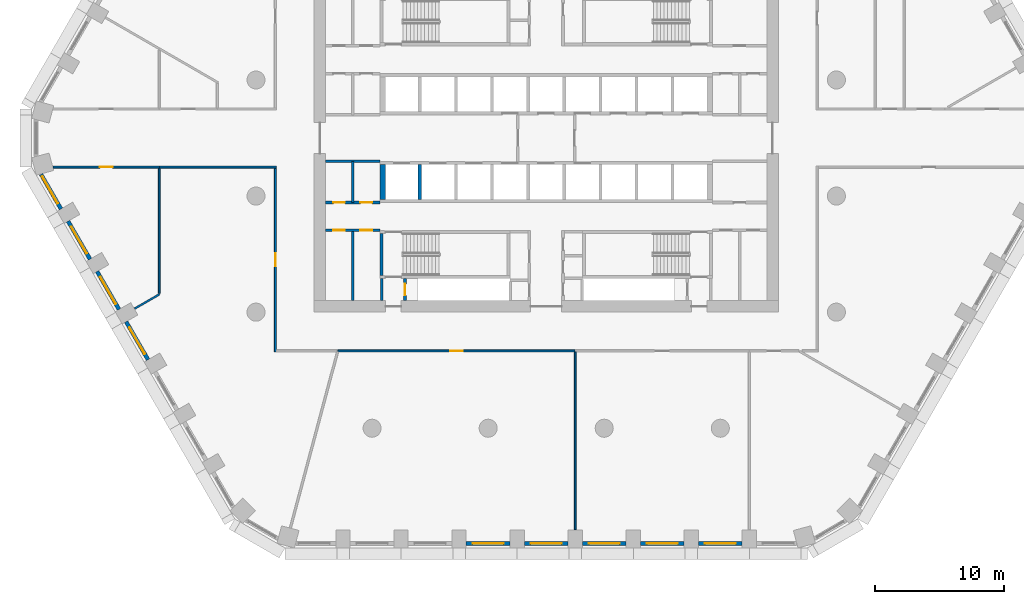
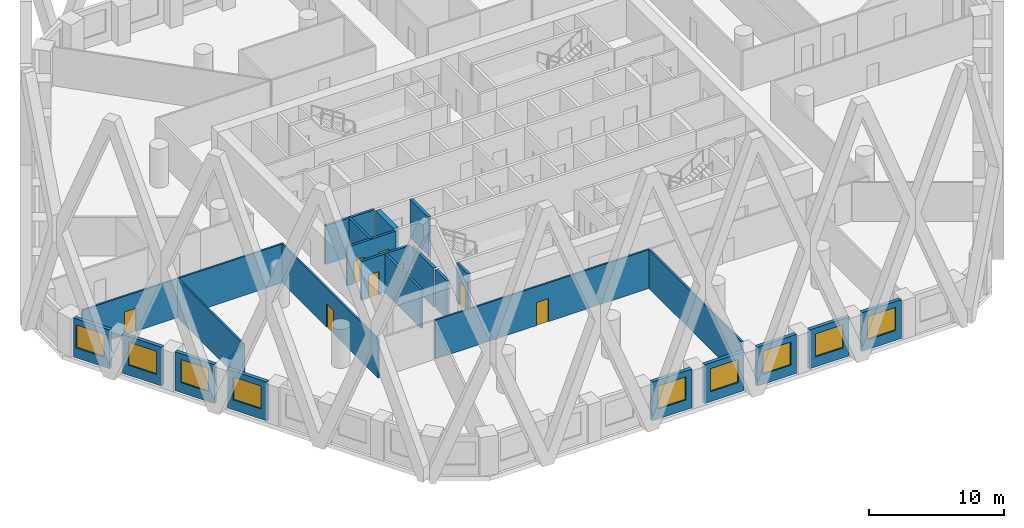
# One storey, part 2 of 18: 26 walls, 9 windows, 8 doors, 17 openings.
"""IFC4 building model written with IfcOpenShell, lengths in metres."""

from ifc_helpers import new_model, si_unit, direction, frame, frame_2d, origin, place, context, subcontext, project, spatial, polyline, rectangle, outline, extrude, material, layer, layer_set, type_object, element, fill, save


model = new_model("IFC4")

# Units and contexts
model_context = context("Model", 3, precision=1e-05, world=origin(), true_north=direction((0.0, 1.0)))
body_context = subcontext(model_context, "Body", "Model", "MODEL_VIEW")
ifc_project = project(units=[si_unit("LENGTHUNIT", "METRE"), si_unit("AREAUNIT", "SQUARE_METRE"), si_unit("VOLUMEUNIT", "CUBIC_METRE"), si_unit("PLANEANGLEUNIT", "RADIAN"), si_unit("MASSUNIT", "GRAM", prefix="KILO")], contexts=[model_context])

# Site, building, storey
site_placement = place(None, origin())
site = spatial("IfcSite", under=ifc_project, at=site_placement, CompositionType="ELEMENT")
building_placement = place(site_placement, origin())
building = spatial("IfcBuilding", under=site, at=building_placement, Name="Dhurran Vertical Campus", CompositionType="ELEMENT")
storey_placement = place(building_placement, frame((0.0, 0.0, 53.39990234375)))
storey = spatial("IfcBuildingStorey", under=building, at=storey_placement, Name="L12", CompositionType="ELEMENT", Elevation=53.39990234375)

# Wall, opening, window
ifc_material_1 = material(Name="Precast concrete C50/60", Category="concrete")
ifc_layer_1 = layer(ifc_material_1, 0.300048828125)
ifc_layer_set_1 = layer_set([ifc_layer_1], Name="Precast concrete C50/60")
wall_type_1 = type_object("IfcWallType", Name="Precast spandrel wall 300", PredefinedType="SOLIDWALL", material=ifc_layer_set_1)
wall_1_placement = place(storey_placement, frame((-6.199462890625, -31.4296875, 0.0), z_axis=(0.0, 0.0, 1.0), x_axis=(1.0, 0.0, 0.0)))
wall_1 = element("IfcWall", 1, at=wall_1_placement, inside=storey, type_object=wall_type_1, Name="EW1 L12.03", PredefinedType="SOLIDWALL", context=body_context, shape_type="SweptSolid", body=[
    extrude(rectangle(XDim=3.39892578125, YDim=0.300048828125, at=frame_2d((1.699462890625, 0.0))), origin(), (0.0, 0.0, 1.0), 3.525146484375),
])
opening_1_placement = place(wall_1_placement, frame((0.49951171875, 0.0, 0.89990234375)))
opening_1 = element("IfcOpeningElement", 2, at=opening_1_placement, cuts=wall_1, Name="Opening WT1", PredefinedType="OPENING", context=body_context, shape_type="SweptSolid", body=[
    extrude(rectangle(XDim=2.39990234375, YDim=2.10009765625, at=frame_2d((1.199951171875, 1.050048828125))), frame((0.0, 0.159912109375, 0.0), z_axis=(0.0, -1.0, 0.0), x_axis=(1.0, 0.0, 0.0)), (0.0, 0.0, 1.0), 0.320068359375),
])
ifc_material_2 = material(Name="Aluminium frame with solar-control glass", Category="aluminium")
window_type = type_object("IfcWindowType", Name="Punched window 2400 x 2100", PartitioningType="SINGLE_PANEL", PredefinedType="WINDOW", material=ifc_material_2)
window_1_placement = place(opening_1_placement, origin())
window_1 = element("IfcWindow", 3, at=window_1_placement, inside=storey, type_object=window_type, Name="WT1 L12.03", OverallHeight=2.10009765625, OverallWidth=2.39990234375, PartitioningType="SINGLE_PANEL", PredefinedType="WINDOW", context=body_context, shape_type="SweptSolid", body=[
    extrude(rectangle(XDim=2.39990234375, YDim=2.10009765625, at=frame_2d((1.199951171875, 1.050048828125))), frame((0.0, 0.030029296875, 0.0), z_axis=(0.0, -1.0, 0.0), x_axis=(1.0, 0.0, 0.0)), (0.0, 0.0, 1.0), 0.06005859375),
])
fill(opening_1, window_1)

wall_2_placement = place(storey_placement, frame((-1.699462890625, -31.4296875, 0.0), z_axis=(0.0, 0.0, 1.0), x_axis=(1.0, 0.0, 0.0)))
wall_2 = element("IfcWall", 4, at=wall_2_placement, inside=storey, type_object=wall_type_1, Name="EW1 L12.04", PredefinedType="SOLIDWALL", context=body_context, shape_type="SweptSolid", body=[
    extrude(rectangle(XDim=3.39892578125, YDim=0.300048828125, at=frame_2d((1.699462890625, 0.0))), origin(), (0.0, 0.0, 1.0), 3.525146484375),
])
opening_2_placement = place(wall_2_placement, frame((0.49951171875, 0.0, 0.89990234375)))
opening_2 = element("IfcOpeningElement", 5, at=opening_2_placement, cuts=wall_2, Name="Opening WT1", PredefinedType="OPENING", context=body_context, shape_type="SweptSolid", body=[
    extrude(rectangle(XDim=2.39990234375, YDim=2.10009765625, at=frame_2d((1.199951171875, 1.050048828125))), frame((0.0, 0.159912109375, 0.0), z_axis=(0.0, -1.0, 0.0), x_axis=(1.0, 0.0, 0.0)), (0.0, 0.0, 1.0), 0.320068359375),
])
window_2_placement = place(opening_2_placement, origin())
window_2 = element("IfcWindow", 6, at=window_2_placement, inside=storey, type_object=window_type, Name="WT1 L12.04", OverallHeight=2.10009765625, OverallWidth=2.39990234375, PartitioningType="SINGLE_PANEL", PredefinedType="WINDOW", context=body_context, shape_type="SweptSolid", body=[
    extrude(rectangle(XDim=2.39990234375, YDim=2.10009765625, at=frame_2d((1.199951171875, 1.050048828125))), frame((0.0, 0.030029296875, 0.0), z_axis=(0.0, -1.0, 0.0), x_axis=(1.0, 0.0, 0.0)), (0.0, 0.0, 1.0), 0.06005859375),
])
fill(opening_2, window_2)

wall_3_placement = place(storey_placement, frame((2.800537109375, -31.4296875, 0.0), z_axis=(0.0, 0.0, 1.0), x_axis=(1.0, 0.0, 0.0)))
wall_3 = element("IfcWall", 7, at=wall_3_placement, inside=storey, type_object=wall_type_1, Name="EW1 L12.05", PredefinedType="SOLIDWALL", context=body_context, shape_type="SweptSolid", body=[
    extrude(rectangle(XDim=3.39892578125, YDim=0.300048828125, at=frame_2d((1.699462890625, 0.0))), origin(), (0.0, 0.0, 1.0), 3.525146484375),
])
opening_3_placement = place(wall_3_placement, frame((0.49951171875, 0.0, 0.89990234375)))
opening_3 = element("IfcOpeningElement", 8, at=opening_3_placement, cuts=wall_3, Name="Opening WT1", PredefinedType="OPENING", context=body_context, shape_type="SweptSolid", body=[
    extrude(rectangle(XDim=2.39990234375, YDim=2.10009765625, at=frame_2d((1.199951171875, 1.050048828125))), frame((0.0, 0.159912109375, 0.0), z_axis=(0.0, -1.0, 0.0), x_axis=(1.0, 0.0, 0.0)), (0.0, 0.0, 1.0), 0.320068359375),
])
window_3_placement = place(opening_3_placement, origin())
window_3 = element("IfcWindow", 9, at=window_3_placement, inside=storey, type_object=window_type, Name="WT1 L12.05", OverallHeight=2.10009765625, OverallWidth=2.39990234375, PartitioningType="SINGLE_PANEL", PredefinedType="WINDOW", context=body_context, shape_type="SweptSolid", body=[
    extrude(rectangle(XDim=2.39990234375, YDim=2.10009765625, at=frame_2d((1.199951171875, 1.050048828125))), frame((0.0, 0.030029296875, 0.0), z_axis=(0.0, -1.0, 0.0), x_axis=(1.0, 0.0, 0.0)), (0.0, 0.0, 1.0), 0.06005859375),
])
fill(opening_3, window_3)

wall_4_placement = place(storey_placement, frame((7.300537109375, -31.4296875, 0.0), z_axis=(0.0, 0.0, 1.0), x_axis=(1.0, 0.0, 0.0)))
wall_4 = element("IfcWall", 10, at=wall_4_placement, inside=storey, type_object=wall_type_1, Name="EW1 L12.06", PredefinedType="SOLIDWALL", context=body_context, shape_type="SweptSolid", body=[
    extrude(rectangle(XDim=3.39892578125, YDim=0.300048828125, at=frame_2d((1.699462890625, 0.0))), origin(), (0.0, 0.0, 1.0), 3.525146484375),
])
opening_4_placement = place(wall_4_placement, frame((0.49951171875, 0.0, 0.89990234375)))
opening_4 = element("IfcOpeningElement", 11, at=opening_4_placement, cuts=wall_4, Name="Opening WT1", PredefinedType="OPENING", context=body_context, shape_type="SweptSolid", body=[
    extrude(rectangle(XDim=2.39990234375, YDim=2.10009765625, at=frame_2d((1.199951171875, 1.050048828125))), frame((0.0, 0.159912109375, 0.0), z_axis=(0.0, -1.0, 0.0), x_axis=(1.0, 0.0, 0.0)), (0.0, 0.0, 1.0), 0.320068359375),
])
window_4_placement = place(opening_4_placement, origin())
window_4 = element("IfcWindow", 12, at=window_4_placement, inside=storey, type_object=window_type, Name="WT1 L12.06", OverallHeight=2.10009765625, OverallWidth=2.39990234375, PartitioningType="SINGLE_PANEL", PredefinedType="WINDOW", context=body_context, shape_type="SweptSolid", body=[
    extrude(rectangle(XDim=2.39990234375, YDim=2.10009765625, at=frame_2d((1.199951171875, 1.050048828125))), frame((0.0, 0.030029296875, 0.0), z_axis=(0.0, -1.0, 0.0), x_axis=(1.0, 0.0, 0.0)), (0.0, 0.0, 1.0), 0.06005859375),
])
fill(opening_4, window_4)

wall_5_placement = place(storey_placement, frame((11.800537109375, -31.4296875, 0.0), z_axis=(0.0, 0.0, 1.0), x_axis=(1.0, 0.0, 0.0)))
wall_5 = element("IfcWall", 13, at=wall_5_placement, inside=storey, type_object=wall_type_1, Name="EW1 L12.07", PredefinedType="SOLIDWALL", context=body_context, shape_type="SweptSolid", body=[
    extrude(rectangle(XDim=3.39892578125, YDim=0.300048828125, at=frame_2d((1.699462890625, 0.0))), origin(), (0.0, 0.0, 1.0), 3.525146484375),
])
opening_5_placement = place(wall_5_placement, frame((0.49951171875, 0.0, 0.89990234375)))
opening_5 = element("IfcOpeningElement", 14, at=opening_5_placement, cuts=wall_5, Name="Opening WT1", PredefinedType="OPENING", context=body_context, shape_type="SweptSolid", body=[
    extrude(rectangle(XDim=2.39990234375, YDim=2.10009765625, at=frame_2d((1.199951171875, 1.050048828125))), frame((0.0, 0.159912109375, 0.0), z_axis=(0.0, -1.0, 0.0), x_axis=(1.0, 0.0, 0.0)), (0.0, 0.0, 1.0), 0.320068359375),
])
window_5_placement = place(opening_5_placement, origin())
window_5 = element("IfcWindow", 15, at=window_5_placement, inside=storey, type_object=window_type, Name="WT1 L12.07", OverallHeight=2.10009765625, OverallWidth=2.39990234375, PartitioningType="SINGLE_PANEL", PredefinedType="WINDOW", context=body_context, shape_type="SweptSolid", body=[
    extrude(rectangle(XDim=2.39990234375, YDim=2.10009765625, at=frame_2d((1.199951171875, 1.050048828125))), frame((0.0, 0.030029296875, 0.0), z_axis=(0.0, -1.0, 0.0), x_axis=(1.0, 0.0, 0.0)), (0.0, 0.0, 1.0), 0.06005859375),
])
fill(opening_5, window_5)

wall_6_placement = place(storey_placement, frame((-39.16455078125, -2.81884765625, 0.0), z_axis=(0.0, 0.0, 1.0), x_axis=(0.49997090907, -0.866042198789, 0.0)))
wall_6 = element("IfcWall", 16, at=wall_6_placement, inside=storey, type_object=wall_type_1, Name="EW1 L12.44", PredefinedType="SOLIDWALL", context=body_context, shape_type="SweptSolid", body=[
    extrude(rectangle(XDim=3.090576171875, YDim=0.300048828125, at=frame_2d((1.54541015625, 0.0))), origin(), (0.0, 0.0, 1.0), 3.525146484375),
])
opening_6_placement = place(wall_6_placement, frame((0.19091796875, 0.0, 0.89990234375)))
opening_6 = element("IfcOpeningElement", 17, at=opening_6_placement, cuts=wall_6, Name="Opening WT1", PredefinedType="OPENING", context=body_context, shape_type="SweptSolid", body=[
    extrude(rectangle(XDim=2.39990234375, YDim=2.10009765625, at=frame_2d((1.199951171875, 1.050048828125))), frame((0.0, 0.159912109375, 0.0), z_axis=(0.0, -1.0, 0.0), x_axis=(1.0, 0.0, 0.0)), (0.0, 0.0, 1.0), 0.320068359375),
])
window_6_placement = place(opening_6_placement, origin())
window_6 = element("IfcWindow", 18, at=window_6_placement, inside=storey, type_object=window_type, Name="WT1 L12.44", OverallHeight=2.10009765625, OverallWidth=2.39990234375, PartitioningType="SINGLE_PANEL", PredefinedType="WINDOW", context=body_context, shape_type="SweptSolid", body=[
    extrude(rectangle(XDim=2.39990234375, YDim=2.10009765625, at=frame_2d((1.199951171875, 1.050048828125))), frame((0.0, 0.030029296875, 0.0), z_axis=(0.0, -1.0, 0.0), x_axis=(1.0, 0.0, 0.0)), (0.0, 0.0, 1.0), 0.06005859375),
])
fill(opening_6, window_6)

wall_7_placement = place(storey_placement, frame((-37.06884765625, -6.448974609375, 0.0), z_axis=(0.0, 0.0, 1.0), x_axis=(0.499993955907, -0.866028893315, 0.0)))
wall_7 = element("IfcWall", 19, at=wall_7_placement, inside=storey, type_object=wall_type_1, Name="EW1 L12.45", PredefinedType="SOLIDWALL", context=body_context, shape_type="SweptSolid", body=[
    extrude(rectangle(XDim=3.39892578125, YDim=0.300048828125, at=frame_2d((1.699462890625, 0.0))), origin(), (0.0, 0.0, 1.0), 3.525146484375),
])
opening_7_placement = place(wall_7_placement, frame((0.49951171875, 0.0, 0.89990234375)))
opening_7 = element("IfcOpeningElement", 20, at=opening_7_placement, cuts=wall_7, Name="Opening WT1", PredefinedType="OPENING", context=body_context, shape_type="SweptSolid", body=[
    extrude(rectangle(XDim=2.39990234375, YDim=2.10009765625, at=frame_2d((1.199951171875, 1.050048828125))), frame((0.0, 0.159912109375, 0.0), z_axis=(0.0, -1.0, 0.0), x_axis=(1.0, 0.0, 0.0)), (0.0, 0.0, 1.0), 0.320068359375),
])
window_7_placement = place(opening_7_placement, origin())
window_7 = element("IfcWindow", 21, at=window_7_placement, inside=storey, type_object=window_type, Name="WT1 L12.45", OverallHeight=2.10009765625, OverallWidth=2.39990234375, PartitioningType="SINGLE_PANEL", PredefinedType="WINDOW", context=body_context, shape_type="SweptSolid", body=[
    extrude(rectangle(XDim=2.39990234375, YDim=2.10009765625, at=frame_2d((1.199951171875, 1.050048828125))), frame((0.0, 0.030029296875, 0.0), z_axis=(0.0, -1.0, 0.0), x_axis=(1.0, 0.0, 0.0)), (0.0, 0.0, 1.0), 0.06005859375),
])
fill(opening_7, window_7)

wall_8_placement = place(storey_placement, frame((-34.81884765625, -10.345947265625, 0.0), z_axis=(0.0, 0.0, 1.0), x_axis=(0.499993955907, -0.866028893315, 0.0)))
wall_8 = element("IfcWall", 22, at=wall_8_placement, inside=storey, type_object=wall_type_1, Name="EW1 L12.46", PredefinedType="SOLIDWALL", context=body_context, shape_type="SweptSolid", body=[
    extrude(rectangle(XDim=3.39892578125, YDim=0.300048828125, at=frame_2d((1.699462890625, 0.0))), origin(), (0.0, 0.0, 1.0), 3.525146484375),
])
opening_8_placement = place(wall_8_placement, frame((0.49951171875, 0.0, 0.89990234375)))
opening_8 = element("IfcOpeningElement", 23, at=opening_8_placement, cuts=wall_8, Name="Opening WT1", PredefinedType="OPENING", context=body_context, shape_type="SweptSolid", body=[
    extrude(rectangle(XDim=2.39990234375, YDim=2.10009765625, at=frame_2d((1.199951171875, 1.050048828125))), frame((0.0, 0.159912109375, 0.0), z_axis=(0.0, -1.0, 0.0), x_axis=(1.0, 0.0, 0.0)), (0.0, 0.0, 1.0), 0.320068359375),
])
window_8_placement = place(opening_8_placement, origin())
window_8 = element("IfcWindow", 24, at=window_8_placement, inside=storey, type_object=window_type, Name="WT1 L12.46", OverallHeight=2.10009765625, OverallWidth=2.39990234375, PartitioningType="SINGLE_PANEL", PredefinedType="WINDOW", context=body_context, shape_type="SweptSolid", body=[
    extrude(rectangle(XDim=2.39990234375, YDim=2.10009765625, at=frame_2d((1.199951171875, 1.050048828125))), frame((0.0, 0.030029296875, 0.0), z_axis=(0.0, -1.0, 0.0), x_axis=(1.0, 0.0, 0.0)), (0.0, 0.0, 1.0), 0.06005859375),
])
fill(opening_8, window_8)

wall_9_placement = place(storey_placement, frame((-32.56884765625, -14.2431640625, 0.0), z_axis=(0.0, 0.0, 1.0), x_axis=(0.499993955907, -0.866028893315, 0.0)))
wall_9 = element("IfcWall", 25, at=wall_9_placement, inside=storey, type_object=wall_type_1, Name="EW1 L12.47", PredefinedType="SOLIDWALL", context=body_context, shape_type="SweptSolid", body=[
    extrude(rectangle(XDim=3.39892578125, YDim=0.300048828125, at=frame_2d((1.699462890625, 0.0))), origin(), (0.0, 0.0, 1.0), 3.525146484375),
])
opening_9_placement = place(wall_9_placement, frame((0.49951171875, 0.0, 0.89990234375)))
opening_9 = element("IfcOpeningElement", 26, at=opening_9_placement, cuts=wall_9, Name="Opening WT1", PredefinedType="OPENING", context=body_context, shape_type="SweptSolid", body=[
    extrude(rectangle(XDim=2.39990234375, YDim=2.10009765625, at=frame_2d((1.199951171875, 1.050048828125))), frame((0.0, 0.159912109375, 0.0), z_axis=(0.0, -1.0, 0.0), x_axis=(1.0, 0.0, 0.0)), (0.0, 0.0, 1.0), 0.320068359375),
])
window_9_placement = place(opening_9_placement, origin())
window_9 = element("IfcWindow", 27, at=window_9_placement, inside=storey, type_object=window_type, Name="WT1 L12.47", OverallHeight=2.10009765625, OverallWidth=2.39990234375, PartitioningType="SINGLE_PANEL", PredefinedType="WINDOW", context=body_context, shape_type="SweptSolid", body=[
    extrude(rectangle(XDim=2.39990234375, YDim=2.10009765625, at=frame_2d((1.199951171875, 1.050048828125))), frame((0.0, 0.030029296875, 0.0), z_axis=(0.0, -1.0, 0.0), x_axis=(1.0, 0.0, 0.0)), (0.0, 0.0, 1.0), 0.06005859375),
])
fill(opening_9, window_9)

# Wall
ifc_material_3 = material(Name="Fire-rated masonry blockwork", Category="masonry")
ifc_layer_2 = layer(ifc_material_3, 0.199951171875)
ifc_layer_set_2 = layer_set([ifc_layer_2], Name="Fire-rated masonry blockwork")
wall_type_2 = type_object("IfcWallType", Name="co-FIRE-PARTITION-200", PredefinedType="PARTITIONING", material=ifc_layer_set_2)
wall_10_placement = place(storey_placement, frame((-12.75, -12.60009765625, 0.0), z_axis=(0.0, 0.0, 1.0), x_axis=(0.0, 1.0, 0.0)))
element("IfcWall", 28, at=wall_10_placement, inside=storey, type_object=wall_type_2, Name="Core partition pass-ST3-o L12", PredefinedType="PARTITIONING", context=body_context, shape_type="SweptSolid", body=[
    extrude(rectangle(XDim=1.7001953125, YDim=0.199951171875, at=frame_2d((0.85009765625, 0.0))), origin(), (0.0, 0.0, 1.0), 3.525146484375),
])

# Wall, opening, door
wall_11_placement = place(storey_placement, frame((-10.949951171875, -12.60009765625, 0.0), z_axis=(0.0, 0.0, 1.0), x_axis=(0.0, 1.0, 0.0)))
wall_11 = element("IfcWall", 29, at=wall_11_placement, inside=storey, type_object=wall_type_2, Name="Core partition pass-ST3-i L12", PredefinedType="PARTITIONING", context=body_context, shape_type="SweptSolid", body=[
    extrude(rectangle(XDim=1.7001953125, YDim=0.199951171875, at=frame_2d((0.85009765625, 0.0))), origin(), (0.0, 0.0, 1.0), 3.525146484375),
])
opening_10_placement = place(wall_11_placement, frame((0.39990234375, 0.0, 0.0)))
opening_10 = element("IfcOpeningElement", 30, at=opening_10_placement, cuts=wall_11, Name="Opening T03-C12", PredefinedType="OPENING", context=body_context, shape_type="SweptSolid", body=[
    extrude(rectangle(XDim=0.89990234375, YDim=2.10009765625, at=frame_2d((0.449951171875, 1.050048828125))), frame((0.0, 0.10986328125, 0.0), z_axis=(0.0, -1.0, 0.0), x_axis=(1.0, 0.0, 0.0)), (0.0, 0.0, 1.0), 0.219970703125),
])
ifc_material_4 = material(Name="Fire-rated timber door set", Category="wood")
door_type_1 = type_object("IfcDoorType", Name="co-D-ROOM 900x2100", OperationType="SINGLE_SWING_LEFT", PredefinedType="DOOR", material=ifc_material_4)
door_1_placement = place(opening_10_placement, origin())
door_1 = element("IfcDoor", 31, at=door_1_placement, inside=storey, type_object=door_type_1, Name="Riser room door L12", OperationType="SINGLE_SWING_LEFT", OverallHeight=2.10009765625, OverallWidth=0.89990234375, PredefinedType="DOOR", context=body_context, shape_type="SweptSolid", body=[
    extrude(rectangle(XDim=0.89990234375, YDim=2.10009765625, at=frame_2d((0.449951171875, 1.050048828125))), frame((0.0, 0.02490234375, 0.0), z_axis=(0.0, -1.0, 0.0), x_axis=(1.0, 0.0, 0.0)), (0.0, 0.0, 1.0), 0.050048828125),
])
fill(opening_10, door_1)

# Wall
wall_12_placement = place(storey_placement, frame((-15.0, -12.60009765625, 0.0), z_axis=(0.0, 0.0, 1.0), x_axis=(0.0, 1.0, 0.0)))
element("IfcWall", 32, at=wall_12_placement, inside=storey, type_object=wall_type_2, Name="Core partition en-SW-cut0 L12", PredefinedType="PARTITIONING", context=body_context, shape_type="SweptSolid", body=[
    extrude(rectangle(XDim=5.4501953125, YDim=0.199951171875, at=frame_2d((2.72509765625, 0.0))), origin(), (0.0, 0.0, 1.0), 3.525146484375),
])

# Wall, openings, doors
wall_13_placement = place(storey_placement, frame((-17.10009765625, -7.14990234375, 0.0), z_axis=(0.0, 0.0, 1.0), x_axis=(1.0, 0.0, 0.0)))
wall_13 = element("IfcWall", 33, at=wall_13_placement, inside=storey, type_object=wall_type_2, Name="Core partition en-SW-w L12", PredefinedType="PARTITIONING", context=body_context, shape_type="SweptSolid", body=[
    extrude(rectangle(XDim=4.2001953125, YDim=0.199951171875, at=frame_2d((2.10009765625, 0.0))), origin(), (0.0, 0.0, 1.0), 3.525146484375),
])
opening_11_placement = place(wall_13_placement, frame((0.60009765625, 0.0, 0.0)))
opening_11 = element("IfcOpeningElement", 34, at=opening_11_placement, cuts=wall_13, Name="Opening T03-C21", PredefinedType="OPENING", context=body_context, shape_type="SweptSolid", body=[
    extrude(rectangle(XDim=0.89990234375, YDim=2.10009765625, at=frame_2d((0.449951171875, 1.050048828125))), frame((0.0, 0.10986328125, 0.0), z_axis=(0.0, -1.0, 0.0), x_axis=(1.0, 0.0, 0.0)), (0.0, 0.0, 1.0), 0.219970703125),
])
opening_12_placement = place(wall_13_placement, frame((2.699951171875, 0.0, 0.0)))
opening_12 = element("IfcOpeningElement", 35, at=opening_12_placement, cuts=wall_13, Name="Opening T03-C22", PredefinedType="OPENING", context=body_context, shape_type="SweptSolid", body=[
    extrude(rectangle(XDim=0.89990234375, YDim=2.10009765625, at=frame_2d((0.449951171875, 1.050048828125))), frame((0.0, 0.10986328125, 0.0), z_axis=(0.0, -1.0, 0.0), x_axis=(1.0, 0.0, 0.0)), (0.0, 0.0, 1.0), 0.219970703125),
])
door_2_placement = place(opening_11_placement, origin())
door_2 = element("IfcDoor", 36, at=door_2_placement, inside=storey, type_object=door_type_1, Name="Electrical riser door L12", OperationType="SINGLE_SWING_LEFT", OverallHeight=2.10009765625, OverallWidth=0.89990234375, PredefinedType="DOOR", context=body_context, shape_type="SweptSolid", body=[
    extrude(rectangle(XDim=0.89990234375, YDim=2.10009765625, at=frame_2d((0.449951171875, 1.050048828125))), frame((0.0, 0.02490234375, 0.0), z_axis=(0.0, -1.0, 0.0), x_axis=(1.0, 0.0, 0.0)), (0.0, 0.0, 1.0), 0.050048828125),
])
fill(opening_11, door_2)
door_3_placement = place(opening_12_placement, origin())
door_3 = element("IfcDoor", 37, at=door_3_placement, inside=storey, type_object=door_type_1, Name="Waste room door L12", OperationType="SINGLE_SWING_LEFT", OverallHeight=2.10009765625, OverallWidth=0.89990234375, PredefinedType="DOOR", context=body_context, shape_type="SweptSolid", body=[
    extrude(rectangle(XDim=0.89990234375, YDim=2.10009765625, at=frame_2d((0.449951171875, 1.050048828125))), frame((0.0, 0.02490234375, 0.0), z_axis=(0.0, -1.0, 0.0), x_axis=(1.0, 0.0, 0.0)), (0.0, 0.0, 1.0), 0.050048828125),
])
fill(opening_12, door_3)

# Wall
wall_14_placement = place(storey_placement, frame((-15.0, -5.0, 0.0), z_axis=(0.0, 0.0, 1.0), x_axis=(0.0, 1.0, 0.0)))
element("IfcWall", 38, at=wall_14_placement, inside=storey, type_object=wall_type_2, Name="Core partition es-SW-cut0 L12", PredefinedType="PARTITIONING", context=body_context, shape_type="SweptSolid", body=[
    extrude(rectangle(XDim=3.199951171875, YDim=0.199951171875, at=frame_2d((1.60009765625, 0.0))), origin(), (0.0, 0.0, 1.0), 3.525146484375),
])

# Wall, openings, doors
wall_15_placement = place(storey_placement, frame((-17.10009765625, -5.0, 0.0), z_axis=(0.0, 0.0, 1.0), x_axis=(1.0, 0.0, 0.0)))
wall_15 = element("IfcWall", 39, at=wall_15_placement, inside=storey, type_object=wall_type_2, Name="Core partition es-SW-w L12", PredefinedType="PARTITIONING", context=body_context, shape_type="SweptSolid", body=[
    extrude(rectangle(XDim=4.2001953125, YDim=0.199951171875, at=frame_2d((2.10009765625, 0.0))), origin(), (0.0, 0.0, 1.0), 3.525146484375),
])
opening_13_placement = place(wall_15_placement, frame((0.60009765625, 0.0, 0.0)))
opening_13 = element("IfcOpeningElement", 40, at=opening_13_placement, cuts=wall_15, Name="Opening T03-C23", PredefinedType="OPENING", context=body_context, shape_type="SweptSolid", body=[
    extrude(rectangle(XDim=0.89990234375, YDim=2.10009765625, at=frame_2d((0.449951171875, 1.050048828125))), frame((0.0, 0.10986328125, 0.0), z_axis=(0.0, -1.0, 0.0), x_axis=(1.0, 0.0, 0.0)), (0.0, 0.0, 1.0), 0.219970703125),
])
opening_14_placement = place(wall_15_placement, frame((2.699951171875, 0.0, 0.0)))
opening_14 = element("IfcOpeningElement", 41, at=opening_14_placement, cuts=wall_15, Name="Opening T03-C24", PredefinedType="OPENING", context=body_context, shape_type="SweptSolid", body=[
    extrude(rectangle(XDim=0.89990234375, YDim=2.10009765625, at=frame_2d((0.449951171875, 1.050048828125))), frame((0.0, 0.10986328125, 0.0), z_axis=(0.0, -1.0, 0.0), x_axis=(1.0, 0.0, 0.0)), (0.0, 0.0, 1.0), 0.219970703125),
])
door_4_placement = place(opening_13_placement, origin())
door_4 = element("IfcDoor", 42, at=door_4_placement, inside=storey, type_object=door_type_1, Name="Plant room door L12", OperationType="SINGLE_SWING_LEFT", OverallHeight=2.10009765625, OverallWidth=0.89990234375, PredefinedType="DOOR", context=body_context, shape_type="SweptSolid", body=[
    extrude(rectangle(XDim=0.89990234375, YDim=2.10009765625, at=frame_2d((0.449951171875, 1.050048828125))), frame((0.0, 0.02490234375, 0.0), z_axis=(0.0, -1.0, 0.0), x_axis=(1.0, 0.0, 0.0)), (0.0, 0.0, 1.0), 0.050048828125),
])
fill(opening_13, door_4)
door_5_placement = place(opening_14_placement, origin())
door_5 = element("IfcDoor", 43, at=door_5_placement, inside=storey, type_object=door_type_1, Name="Plant room door L12", OperationType="SINGLE_SWING_LEFT", OverallHeight=2.10009765625, OverallWidth=0.89990234375, PredefinedType="DOOR", context=body_context, shape_type="SweptSolid", body=[
    extrude(rectangle(XDim=0.89990234375, YDim=2.10009765625, at=frame_2d((0.449951171875, 1.050048828125))), frame((0.0, 0.02490234375, 0.0), z_axis=(0.0, -1.0, 0.0), x_axis=(1.0, 0.0, 0.0)), (0.0, 0.0, 1.0), 0.050048828125),
])
fill(opening_14, door_5)

# Walls
wall_16_placement = place(storey_placement, frame((-17.10009765625, -1.800048828125, 0.0), z_axis=(0.0, 0.0, 1.0), x_axis=(1.0, 0.0, 0.0)))
element("IfcWall", 44, at=wall_16_placement, inside=storey, type_object=wall_type_2, Name="Core partition es-SW-l L12", PredefinedType="PARTITIONING", context=body_context, shape_type="SweptSolid", body=[
    extrude(rectangle(XDim=4.2001953125, YDim=0.199951171875, at=frame_2d((2.10009765625, 0.0))), origin(), (0.0, 0.0, 1.0), 3.525146484375),
])
ifc_material_5 = material(Name="Concrete C50/60", Category="concrete")
ifc_layer_3 = layer(ifc_material_5, 0.25)
ifc_layer_set_3 = layer_set([ifc_layer_3], Name="Concrete C50/60")
wall_type_3 = type_object("IfcWallType", Name="co-SHAFT-MASS-250", PredefinedType="SHEAR", material=ifc_layer_set_3)
wall_17_placement = place(storey_placement, origin())
element("IfcWall", 45, at=wall_17_placement, inside=storey, type_object=wall_type_3, Name="Lift shaft wall S L12 2", PredefinedType="SHEAR", context=body_context, shape_type="SweptSolid", body=[
    extrude(outline(polyline([(-12.89990234375, -4.75), (-12.47509765625, -4.75), (-12.47509765625, -2.050048828125), (-12.89990234375, -2.050048828125), (-12.89990234375, -4.75)])), origin(), (0.0, 0.0, 1.0), 3.525146484375),
])
wall_18_placement = place(storey_placement, origin())
element("IfcWall", 46, at=wall_18_placement, inside=storey, type_object=wall_type_3, Name="Lift shaft wall S L12 3", PredefinedType="SHEAR", context=body_context, shape_type="SweptSolid", body=[
    extrude(outline(polyline([(-9.925048828125, -4.75), (-9.675048828125, -4.75), (-9.675048828125, -2.050048828125), (-9.925048828125, -2.050048828125), (-9.925048828125, -4.75)])), origin(), (0.0, 0.0, 1.0), 3.525146484375),
])
ifc_material_6 = material(Name="Concrete C40/50", Category="concrete")
ifc_layer_4 = layer(ifc_material_6, 0.25)
ifc_layer_set_4 = layer_set([ifc_layer_4], Name="Concrete C40/50")
wall_type_4 = type_object("IfcWallType", Name="co-STAIR-WALL-250", PredefinedType="SHEAR", material=ifc_layer_set_4)
wall_19_placement = place(storey_placement, frame((-12.77490234375, -10.64990234375, 0.0), z_axis=(0.0, 0.0, 1.0), x_axis=(0.0, 1.0, 0.0)))
element("IfcWall", 47, at=wall_19_placement, inside=storey, type_object=wall_type_4, Name="Stair ST3 enclosure wall L12", PredefinedType="SHEAR", context=body_context, shape_type="SweptSolid", body=[
    extrude(rectangle(XDim=3.25, YDim=0.25, at=frame_2d((1.625, 0.0))), origin(), (0.0, 0.0, 1.0), 3.525146484375),
])

# Wall, opening, door
ifc_material_7 = material(Name="Gypsum board corridor wall on steel studs", Category="steel")
ifc_layer_5 = layer(ifc_material_7, 0.14990234375)
ifc_layer_set_5 = layer_set([ifc_layer_5], Name="Gypsum board corridor wall on steel studs")
wall_type_5 = type_object("IfcWallType", Name="fl-CW-150 corridor wall", PredefinedType="PARTITIONING", material=ifc_layer_set_5)
wall_20_placement = place(storey_placement, frame((-30.0, -2.25, 0.0), z_axis=(0.0, 0.0, 1.0), x_axis=(-1.0, 0.0, 0.0)))
wall_20 = element("IfcWall", 48, at=wall_20_placement, inside=storey, type_object=wall_type_5, Name="Partition 12-01", PredefinedType="PARTITIONING", context=body_context, shape_type="SweptSolid", body=[
    extrude(rectangle(XDim=8.23291015625, YDim=0.14990234375, at=frame_2d((4.116455078125, 0.0))), origin(), (0.0, 0.0, 1.0), 3.525146484375),
])
opening_15_placement = place(wall_20_placement, frame((3.616455078125, 0.0, 0.0)))
opening_15 = element("IfcOpeningElement", 49, at=opening_15_placement, cuts=wall_20, Name="Opening T03.02", PredefinedType="OPENING", context=body_context, shape_type="SweptSolid", body=[
    extrude(rectangle(XDim=1.0, YDim=2.10009765625, at=frame_2d((0.5, 1.050048828125))), frame((0.0, 0.0849609375, 0.0), z_axis=(0.0, -1.0, 0.0), x_axis=(1.0, 0.0, 0.0)), (0.0, 0.0, 1.0), 0.169921875),
])
ifc_material_8 = material(Name="Solid-core timber door set, fire-rated", Category="wood")
door_type_2 = type_object("IfcDoorType", Name="fl-D-1000x2100", OperationType="SINGLE_SWING_LEFT", PredefinedType="DOOR", material=ifc_material_8)
door_6_placement = place(opening_15_placement, origin())
door_6 = element("IfcDoor", 50, at=door_6_placement, inside=storey, type_object=door_type_2, Name="Door 12.02", OperationType="SINGLE_SWING_RIGHT", OverallHeight=2.10009765625, OverallWidth=1.0, PredefinedType="DOOR", context=body_context, shape_type="SweptSolid", body=[
    extrude(rectangle(XDim=1.0, YDim=2.10009765625, at=frame_2d((0.5, 1.050048828125))), frame((0.0, 0.02490234375, 0.0), z_axis=(0.0, -1.0, 0.0), x_axis=(1.0, 0.0, 0.0)), (0.0, 0.0, 1.0), 0.050048828125),
])
fill(opening_15, door_6)

# Wall
wall_21_placement = place(storey_placement, frame((-20.925048828125, -2.25, 0.0), z_axis=(0.0, 0.0, 1.0), x_axis=(-1.0, 0.0, 0.0)))
element("IfcWall", 51, at=wall_21_placement, inside=storey, type_object=wall_type_5, Name="Partition 12-06", PredefinedType="PARTITIONING", context=body_context, shape_type="SweptSolid", body=[
    extrude(rectangle(XDim=9.074951171875, YDim=0.14990234375, at=frame_2d((4.53759765625, 0.0))), origin(), (0.0, 0.0, 1.0), 3.525146484375),
])

# Wall, opening, door
wall_22_placement = place(storey_placement, frame((-21.0, -2.324951171875, 0.0), z_axis=(0.0, 0.0, 1.0), x_axis=(0.0, -1.0, 0.0)))
wall_22 = element("IfcWall", 52, at=wall_22_placement, inside=storey, type_object=wall_type_5, Name="Partition 12-13", PredefinedType="PARTITIONING", context=body_context, shape_type="SweptSolid", body=[
    extrude(rectangle(XDim=14.25, YDim=0.14990234375, at=frame_2d((7.125, 0.0))), origin(), (0.0, 0.0, 1.0), 3.525146484375),
])
opening_16_placement = place(wall_22_placement, frame((6.625, 0.0, 0.0)))
opening_16 = element("IfcOpeningElement", 53, at=opening_16_placement, cuts=wall_22, Name="Opening T03.05", PredefinedType="OPENING", context=body_context, shape_type="SweptSolid", body=[
    extrude(rectangle(XDim=1.0, YDim=2.10009765625, at=frame_2d((0.5, 1.050048828125))), frame((0.0, 0.0849609375, 0.0), z_axis=(0.0, -1.0, 0.0), x_axis=(1.0, 0.0, 0.0)), (0.0, 0.0, 1.0), 0.169921875),
])
door_7_placement = place(opening_16_placement, origin())
door_7 = element("IfcDoor", 54, at=door_7_placement, inside=storey, type_object=door_type_2, Name="Door 12.05", OperationType="SINGLE_SWING_RIGHT", OverallHeight=2.10009765625, OverallWidth=1.0, PredefinedType="DOOR", context=body_context, shape_type="SweptSolid", body=[
    extrude(rectangle(XDim=1.0, YDim=2.10009765625, at=frame_2d((0.5, 1.050048828125))), frame((0.0, 0.02490234375, 0.0), z_axis=(0.0, -1.0, 0.0), x_axis=(1.0, 0.0, 0.0)), (0.0, 0.0, 1.0), 0.050048828125),
])
fill(opening_16, door_7)

wall_23_placement = place(storey_placement, frame((-16.156005859375, -16.5, 0.0), z_axis=(0.0, 0.0, 1.0), x_axis=(1.0, 0.0, 0.0)))
wall_23 = element("IfcWall", 55, at=wall_23_placement, inside=storey, type_object=wall_type_5, Name="Partition 12-18", PredefinedType="PARTITIONING", context=body_context, shape_type="SweptSolid", body=[
    extrude(rectangle(XDim=18.406005859375, YDim=0.14990234375, at=frame_2d((9.203125, 0.0))), origin(), (0.0, 0.0, 1.0), 3.525146484375),
])
opening_17_placement = place(wall_23_placement, frame((8.702880859375, 0.0, 0.0)))
opening_17 = element("IfcOpeningElement", 56, at=opening_17_placement, cuts=wall_23, Name="Opening T03.07", PredefinedType="OPENING", context=body_context, shape_type="SweptSolid", body=[
    extrude(rectangle(XDim=1.0, YDim=2.10009765625, at=frame_2d((0.5, 1.050048828125))), frame((0.0, 0.0849609375, 0.0), z_axis=(0.0, -1.0, 0.0), x_axis=(1.0, 0.0, 0.0)), (0.0, 0.0, 1.0), 0.169921875),
])
door_8_placement = place(opening_17_placement, origin())
door_8 = element("IfcDoor", 57, at=door_8_placement, inside=storey, type_object=door_type_2, Name="Door 12.07", OperationType="SINGLE_SWING_RIGHT", OverallHeight=2.10009765625, OverallWidth=1.0, PredefinedType="DOOR", context=body_context, shape_type="SweptSolid", body=[
    extrude(rectangle(XDim=1.0, YDim=2.10009765625, at=frame_2d((0.5, 1.050048828125))), frame((0.0, 0.02490234375, 0.0), z_axis=(0.0, -1.0, 0.0), x_axis=(1.0, 0.0, 0.0)), (0.0, 0.0, 1.0), 0.050048828125),
])
fill(opening_17, door_8)

# Walls
ifc_material_9 = material(Name="Gypsum board partition on steel studs", Category="steel")
ifc_layer_6 = layer(ifc_material_9, 0.14990234375)
ifc_layer_set_6 = layer_set([ifc_layer_6], Name="Gypsum board partition on steel studs")
wall_type_6 = type_object("IfcWallType", Name="fl-PW-150 fixed partition", PredefinedType="PARTITIONING", material=ifc_layer_set_6)
wall_24_placement = place(storey_placement, frame((-29.978271484375, -12.111572265625, 0.0), z_axis=(0.0, 0.0, 1.0), x_axis=(-0.866020361036, -0.500008734195, 0.0)))
element("IfcWall", 58, at=wall_24_placement, inside=storey, type_object=wall_type_6, Name="Partition 12-04", PredefinedType="PARTITIONING", context=body_context, shape_type="SweptSolid", body=[
    extrude(rectangle(XDim=2.2392578125, YDim=0.14990234375, at=frame_2d((1.11962890625, 0.0))), origin(), (0.0, 0.0, 1.0), 3.525146484375),
])
wall_25_placement = place(storey_placement, frame((-30.0, -2.324951171875, 0.0), z_axis=(0.0, 0.0, 1.0), x_axis=(0.0, -1.0, 0.0)))
element("IfcWall", 59, at=wall_25_placement, inside=storey, type_object=wall_type_6, Name="Partition 12-05", PredefinedType="PARTITIONING", context=body_context, shape_type="SweptSolid", body=[
    extrude(rectangle(XDim=9.72412109375, YDim=0.14990234375, at=frame_2d((4.862060546875, 0.0))), origin(), (0.0, 0.0, 1.0), 3.525146484375),
])
wall_26_placement = place(storey_placement, frame((2.25, -16.574951171875, 0.0), z_axis=(0.0, 0.0, 1.0), x_axis=(0.0, -1.0, 0.0)))
element("IfcWall", 60, at=wall_26_placement, inside=storey, type_object=wall_type_6, Name="Partition 12-24", PredefinedType="PARTITIONING", context=body_context, shape_type="SweptSolid", body=[
    extrude(rectangle(XDim=13.784912109375, YDim=0.14990234375, at=frame_2d((6.892578125, 0.0))), origin(), (0.0, 0.0, 1.0), 3.525146484375),
])

save(model, "model.ifc")
